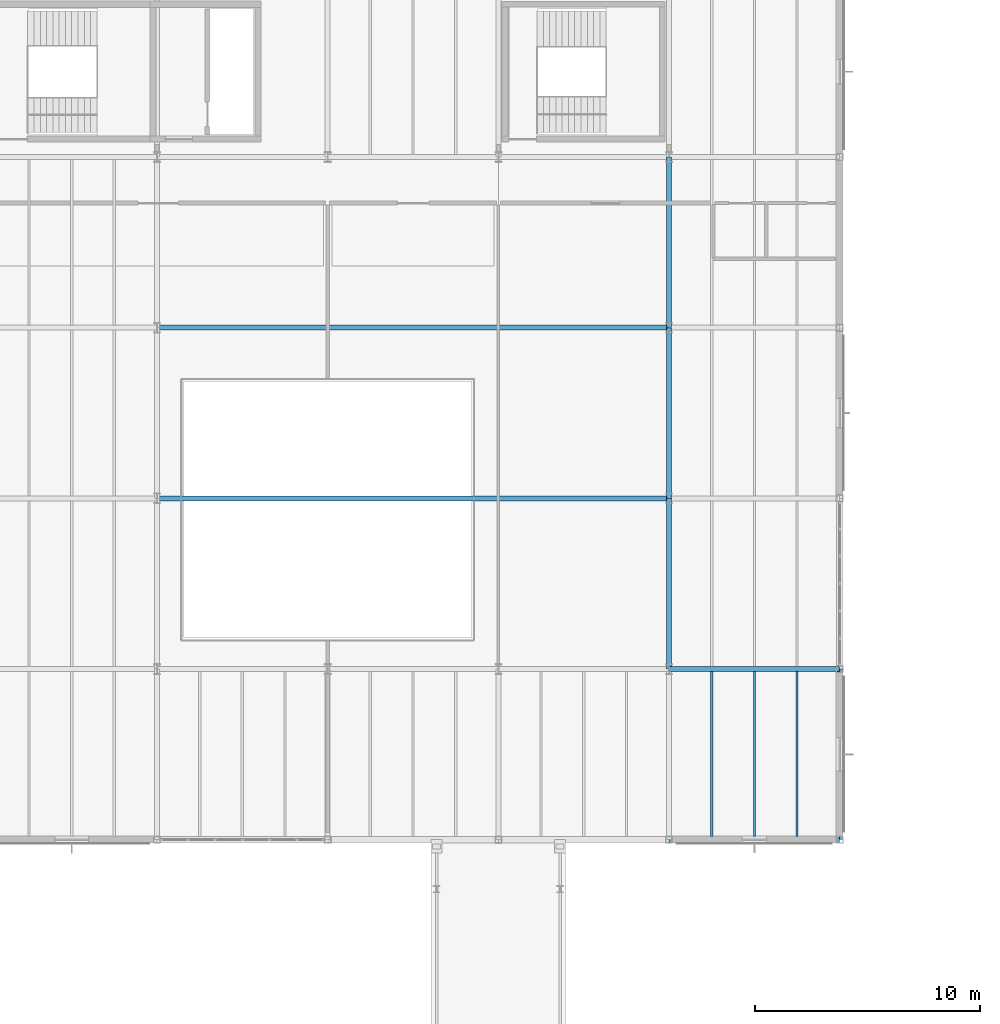
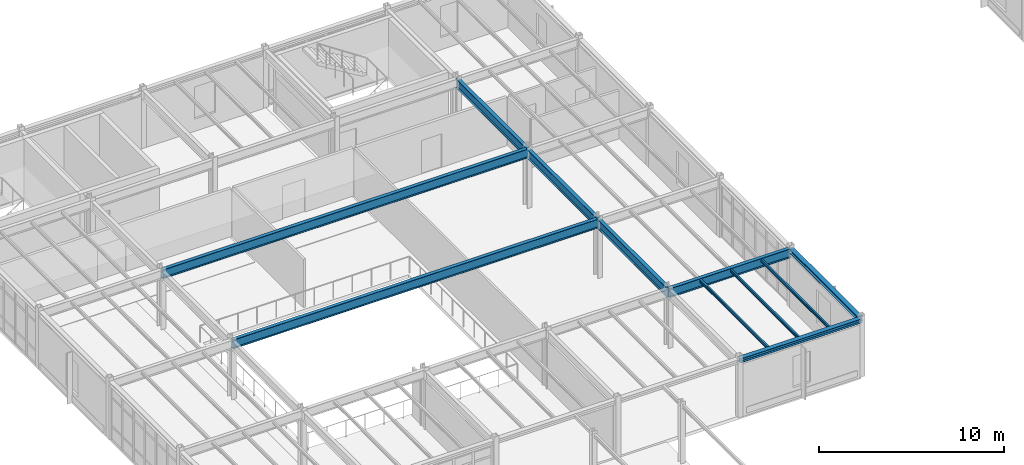
# One storey, part 70 of 165: 11 beams.
"""IFC4 building model written with IfcOpenShell, lengths in metres."""

from ifc_helpers import new_model, si_unit, direction, frame, origin, origin_2d, place, context, subcontext, project, spatial, i_section, extrude, material, material_profile, profile_set, type_object, element, save


model = new_model("IFC4")

# Units and contexts
model_context = context("Model", 3, precision=1e-05, world=origin(), true_north=direction((0.0, 1.0)))
body_context = subcontext(model_context, "Body", "Model", "MODEL_VIEW")
ifc_project = project(units=[si_unit("LENGTHUNIT", "METRE"), si_unit("AREAUNIT", "SQUARE_METRE"), si_unit("VOLUMEUNIT", "CUBIC_METRE"), si_unit("PLANEANGLEUNIT", "RADIAN"), si_unit("MASSUNIT", "GRAM", prefix="KILO")], contexts=[model_context])

# Site, building, storey
site_placement = place(None, origin())
site = spatial("IfcSite", under=ifc_project, at=site_placement, CompositionType="ELEMENT")
building_placement = place(site_placement, origin())
building = spatial("IfcBuilding", under=site, at=building_placement, Name="Montecoro Central Library", CompositionType="ELEMENT")
storey_placement = place(building_placement, frame((0.0, 0.0, 5.10009765625)))
storey = spatial("IfcBuildingStorey", under=building, at=storey_placement, Name="L01", CompositionType="ELEMENT", Elevation=5.10009765625)

# Beams
ifc_material_1 = material(Name="Steel S355J2", Category="steel")
ifc_material_profile_1 = material_profile(ifc_material_1, i_section(OverallWidth=0.219970703125, OverallDepth=0.60009765625, WebThickness=0.011962890625, FlangeThickness=0.01904296875, at=origin_2d()), Name="IPE 600")
ifc_profile_set_1 = profile_set([ifc_material_profile_1], Name="Steel S355J2")
beam_type_1 = type_object("IfcBeamType", Name="BM-G-IPE600", PredefinedType="USERDEFINED", material=ifc_profile_set_1)
for number, where, z_axis, x_axis, name in (
    (1, (35.405029296875, 81.0, 3.52490234375), (1.0, 0.0, 0.0), (0.0, 1.0, 0.0), "V4-L01-BX-56-L"),
    (2, (35.39990234375, 81.0048828125, 3.52490234375), (0.0, 1.0, 0.0), (-1.0, 0.0, 0.0), "V4-L01-BY-5-LM"),
    (3, (35.39990234375, 88.60498046875, 3.52490234375), (0.0, 1.0, 0.0), (-1.0, 0.0, 0.0), "V4-L01-BY-5-MN"),
):
    element("IfcBeam", number, at=place(storey_placement, frame(where, z_axis=z_axis, x_axis=x_axis)), inside=storey, type_object=beam_type_1, Name=name, ObjectType="GIRDER", PredefinedType="USERDEFINED", context=body_context, shape_type="SweptSolid", body=[
        extrude(i_section(OverallWidth=0.219970703125, OverallDepth=0.60009765625, WebThickness=0.011962890625, FlangeThickness=0.01904296875, at=origin_2d()), origin(), (0.0, 0.0, 1.0), 7.590087890625),
    ])
beam_placement = place(storey_placement, frame((35.39990234375, 96.205078125, 3.52490234375), z_axis=(0.0, 1.0, 0.0), x_axis=(-1.0, 0.0, 0.0)))
element("IfcBeam", 4, at=beam_placement, inside=storey, type_object=beam_type_1, Name="V4-L01-BY-5-NP", ObjectType="GIRDER", PredefinedType="USERDEFINED", context=body_context, shape_type="SweptSolid", body=[
    extrude(i_section(OverallWidth=0.219970703125, OverallDepth=0.60009765625, WebThickness=0.011962890625, FlangeThickness=0.01904296875, at=origin_2d()), origin(), (0.0, 0.0, 1.0), 7.58984375),
])
for number, where, z_axis, x_axis, name in (
    (5, (12.60498046875, 88.60009765625, 3.52490234375), (1.0, 0.0, 0.0), (0.0, 1.0, 0.0), "V4-L01-AUDG-M"),
    (6, (12.60498046875, 96.199951171875, 3.52490234375), (1.0, 0.0, 0.0), (0.0, 1.0, 0.0), "V4-L01-AUDG-N"),
):
    element("IfcBeam", number, at=place(storey_placement, frame(where, z_axis=z_axis, x_axis=x_axis)), inside=storey, type_object=beam_type_1, Name=name, ObjectType="GIRDER", PredefinedType="USERDEFINED", context=body_context, shape_type="SweptSolid", body=[
        extrude(i_section(OverallWidth=0.219970703125, OverallDepth=0.60009765625, WebThickness=0.011962890625, FlangeThickness=0.01904296875, at=origin_2d()), origin(), (0.0, 0.0, 1.0), 22.7900390625),
    ])
ifc_material_2 = material(Name="Steel S355", Category="steel")
ifc_material_profile_2 = material_profile(ifc_material_2, i_section(OverallWidth=0.10009765625, OverallDepth=0.199951171875, WebThickness=0.005615234375, FlangeThickness=0.008544921875, at=origin_2d()), Name="IPE 200")
ifc_profile_set_2 = profile_set([ifc_material_profile_2], Name="Steel S355")
beam_type_2 = type_object("IfcBeamType", Name="BM-J-IPE200", PredefinedType="JOIST", material=ifc_profile_set_2)
for number, where, z_axis, x_axis, name in (
    (7, (37.300048828125, 73.537109375, 3.724853515625), (0.0, 1.0, 0.0), (-1.0, 0.0, 0.0), "V4-L01-JS-56-KL-1"),
    (8, (39.199951171875, 73.537109375, 3.724853515625), (0.0, 1.0, 0.0), (-1.0, 0.0, 0.0), "V4-L01-JS-56-KL-2"),
    (9, (41.10009765625, 73.537109375, 3.724853515625), (0.0, 1.0, 0.0), (-1.0, 0.0, 0.0), "V4-L01-JS-56-KL-3"),
):
    element("IfcBeam", number, at=place(storey_placement, frame(where, z_axis=z_axis, x_axis=x_axis)), inside=storey, type_object=beam_type_2, Name=name, PredefinedType="JOIST", context=body_context, shape_type="SweptSolid", body=[
        extrude(i_section(OverallWidth=0.10009765625, OverallDepth=0.199951171875, WebThickness=0.005615234375, FlangeThickness=0.008544921875, at=origin_2d()), origin(), (0.0, 0.0, 1.0), 7.35595703125),
    ])
ifc_material_profile_3 = material_profile(ifc_material_2, i_section(OverallWidth=0.280029296875, OverallDepth=0.27001953125, WebThickness=0.008056640625, FlangeThickness=0.012939453125, at=origin_2d()), Name="HEA 280")
ifc_profile_set_3 = profile_set([ifc_material_profile_3], Name="Steel S355")
beam_type_3 = type_object("IfcBeamType", Name="BM-SP-HEA280", PredefinedType="SPANDREL", material=ifc_profile_set_3)
for number, where, z_axis, x_axis, name in (
    (10, (35.405029296875, 73.39990234375, 3.68994140625), (1.0, 0.0, 0.0), (0.0, 1.0, 0.0), "V4-L01-BX-56-K"),
    (11, (43.0, 73.405029296875, 3.68994140625), (0.0, 1.0, 0.0), (-1.0, 0.0, 0.0), "V4-L01-BY-6-KL"),
):
    element("IfcBeam", number, at=place(storey_placement, frame(where, z_axis=z_axis, x_axis=x_axis)), inside=storey, type_object=beam_type_3, Name=name, PredefinedType="SPANDREL", context=body_context, shape_type="SweptSolid", body=[
        extrude(i_section(OverallWidth=0.280029296875, OverallDepth=0.27001953125, WebThickness=0.008056640625, FlangeThickness=0.012939453125, at=origin_2d()), origin(), (0.0, 0.0, 1.0), 7.590087890625),
    ])

save(model, "model.ifc")
